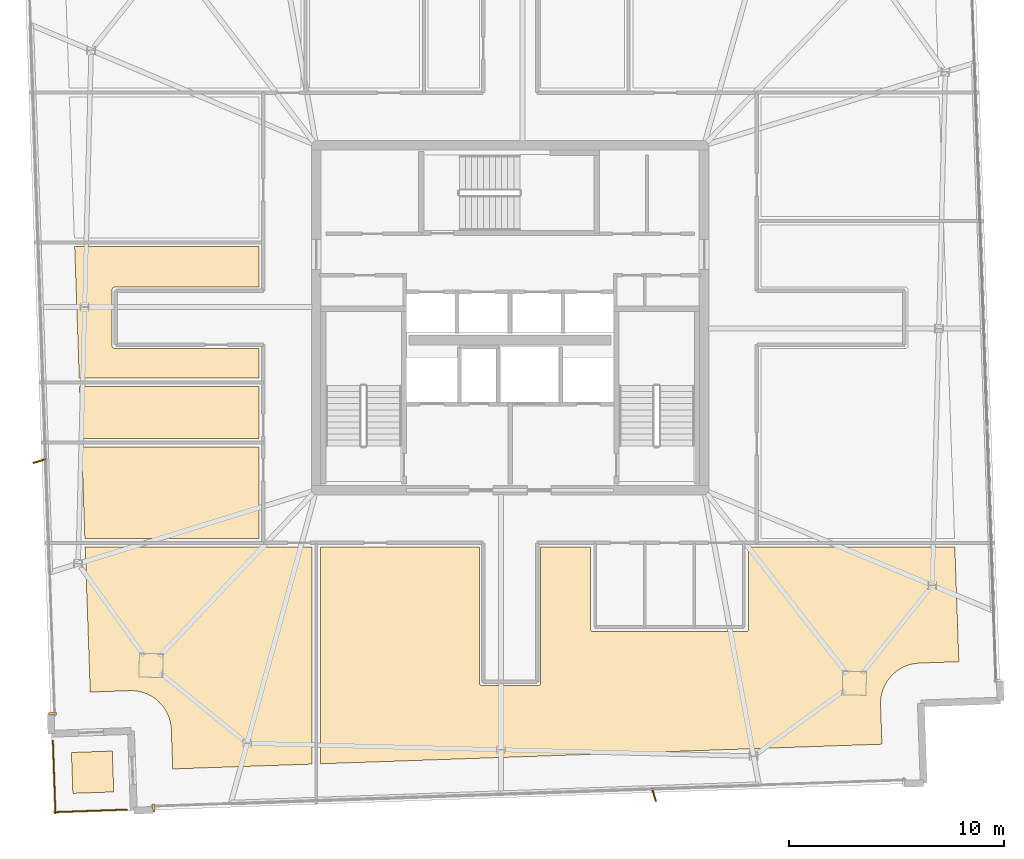
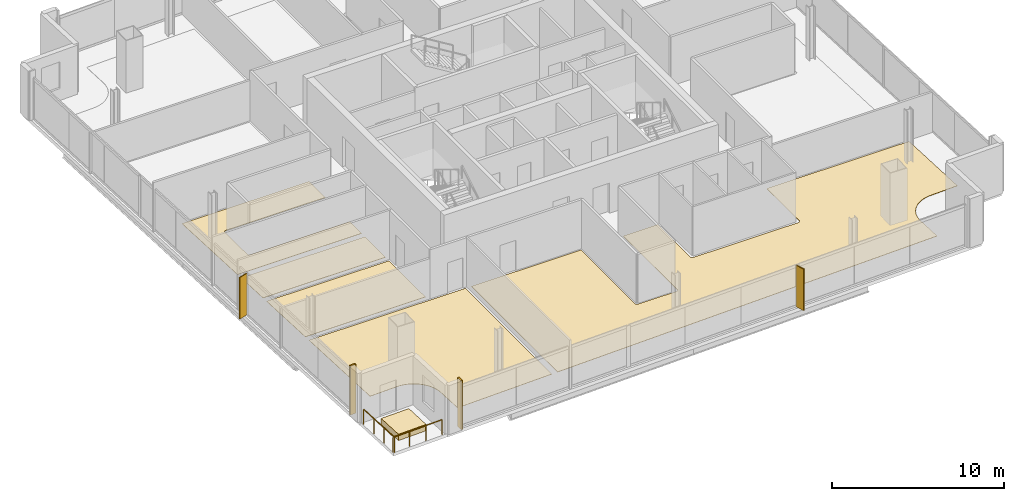
# One storey, part 21 of 23: 8 coverings, 2 railings, 2 shading devices.
"""IFC4 building model written with IfcOpenShell, lengths in metres."""

from ifc_helpers import new_model, si_unit, direction, frame, origin, origin_2d, place, context, subcontext, project, spatial, polyline, rectangle, outline, extrude, source, transform, mapped, material, layer, layer_set, type_object, element, save


model = new_model("IFC4")

# Units and contexts
model_context = context("Model", 3, precision=1e-05, world=origin(), true_north=direction((0.0, 1.0)))
body_context = subcontext(model_context, "Body", "Model", "MODEL_VIEW")
ifc_project = project(units=[si_unit("LENGTHUNIT", "METRE"), si_unit("AREAUNIT", "SQUARE_METRE"), si_unit("VOLUMEUNIT", "CUBIC_METRE"), si_unit("PLANEANGLEUNIT", "RADIAN"), si_unit("MASSUNIT", "GRAM", prefix="KILO")], contexts=[model_context])

# Site, building, storey
site_placement = place(None, origin())
site = spatial("IfcSite", under=ifc_project, at=site_placement, CompositionType="ELEMENT")
building_placement = place(site_placement, origin())
building = spatial("IfcBuilding", under=site, at=building_placement, Name="Haldenkirk Collegiate Tower", CompositionType="ELEMENT")
storey_placement = place(building_placement, frame((0.0, 0.0, 336.449951171875)))
storey = spatial("IfcBuildingStorey", under=building, at=storey_placement, Name="L85", CompositionType="ELEMENT", Elevation=336.449951171875)

# Coverings
ifc_material_1 = material(Name="Polished collegiate terrazzo", Category="concrete")
ifc_layer_1 = layer(ifc_material_1, 0.02490234375)
ifc_layer_set_1 = layer_set([ifc_layer_1], Name="Polished collegiate terrazzo")
covering_type_1 = type_object("IfcCoveringType", Name="COV-FLOOR-TERRAZZO", PredefinedType="FLOORING", material=ifc_layer_set_1)
covering_1_placement = place(storey_placement, origin())
element("IfcCovering", 1, at=covering_1_placement, inside=storey, type_object=covering_type_1, Name="L85 academic room finish 02", PredefinedType="FLOORING", context=body_context, shape_type="SweptSolid", body=[
    extrude(outline(polyline([(54.291015625, 9.80810546875), (54.280517578125, 9.80322265625), (54.127685546875, 9.724609375), (54.11767578125, 9.718505859375), (53.973388671875, 9.625244140625), (53.9638671875, 9.618408203125), (53.82958984375, 9.51123046875), (53.82080078125, 9.503662109375), (53.69775390625, 9.3837890625), (53.689697265625, 9.375244140625), (53.578857421875, 9.243896484375), (53.57177734375, 9.234619140625), (53.474365234375, 9.09326171875), (53.468017578125, 9.083251953125), (53.385009765625, 8.93310546875), (53.3798828125, 8.92236328125), (53.311767578125, 8.7646484375), (53.3076171875, 8.753662109375), (53.255615234375, 8.590087890625), (53.25244140625, 8.57861328125), (53.216552734375, 8.41064453125), (53.21484375, 8.399169921875), (53.195556640625, 8.228515625), (53.194580078125, 8.216796875), (53.1923828125, 8.044921875), (53.1923828125, 8.0390625), (53.256103515625, 6.210205078125), (27.199951171875, 5.30029296875), (27.199951171875, 15.35009765625), (34.580078125, 15.35009765625), (34.580078125, 9.050048828125), (34.58056640625, 9.0380859375), (34.582275390625, 9.026611328125), (34.585205078125, 9.01513671875), (34.589111328125, 9.004150390625), (34.59423828125, 8.993408203125), (34.60009765625, 8.9833984375), (34.607177734375, 8.973876953125), (34.614990234375, 8.965087890625), (34.623779296875, 8.957275390625), (34.63330078125, 8.9501953125), (34.643310546875, 8.944091796875), (34.654052734375, 8.939208984375), (34.665283203125, 8.935302734375), (34.676513671875, 8.932373046875), (34.688232421875, 8.9306640625), (34.699951171875, 8.929931640625), (37.300048828125, 8.929931640625), (37.311767578125, 8.9306640625), (37.323486328125, 8.932373046875), (37.334716796875, 8.935302734375), (37.345947265625, 8.939208984375), (37.356689453125, 8.944091796875), (37.36669921875, 8.9501953125), (37.376220703125, 8.957275390625), (37.385009765625, 8.965087890625), (37.392822265625, 8.973876953125), (37.39990234375, 8.9833984375), (37.40576171875, 8.993408203125), (37.410888671875, 9.004150390625), (37.414794921875, 9.01513671875), (37.417724609375, 9.026611328125), (37.41943359375, 9.0380859375), (37.419921875, 9.050048828125), (37.419921875, 15.35009765625), (39.72998046875, 15.35009765625), (39.72998046875, 11.550048828125), (39.730712890625, 11.5380859375), (39.732421875, 11.526611328125), (39.735107421875, 11.51513671875), (39.739013671875, 11.504150390625), (39.744140625, 11.493408203125), (39.750244140625, 11.4833984375), (39.757080078125, 11.473876953125), (39.76513671875, 11.465087890625), (39.77392578125, 11.457275390625), (39.783203125, 11.4501953125), (39.79345703125, 11.444091796875), (39.80419921875, 11.439208984375), (39.815185546875, 11.435302734375), (39.82666015625, 11.432373046875), (39.838134765625, 11.4306640625), (39.85009765625, 11.429931640625), (46.949951171875, 11.429931640625), (46.9619140625, 11.4306640625), (46.973388671875, 11.432373046875), (46.98486328125, 11.435302734375), (46.995849609375, 11.439208984375), (47.006591796875, 11.444091796875), (47.0166015625, 11.4501953125), (47.026123046875, 11.457275390625), (47.034912109375, 11.465087890625), (47.042724609375, 11.473876953125), (47.0498046875, 11.4833984375), (47.055908203125, 11.493408203125), (47.060791015625, 11.504150390625), (47.064697265625, 11.51513671875), (47.067626953125, 11.526611328125), (47.0693359375, 11.5380859375), (47.070068359375, 11.550048828125), (47.070068359375, 15.35009765625), (56.63916015625, 15.35009765625), (56.82470703125, 10.037109375), (54.995849609375, 9.97314453125), (54.989990234375, 9.972900390625), (54.81884765625, 9.95849609375), (54.807373046875, 9.956787109375), (54.638427734375, 9.92578125), (54.626953125, 9.923095703125), (54.4619140625, 9.87548828125), (54.45068359375, 9.87158203125), (54.291015625, 9.80810546875)])), origin(), (0.0, 0.0, 1.0), 0.025146484375),
])
covering_2_placement = place(storey_placement, origin())
element("IfcCovering", 2, at=covering_2_placement, inside=storey, type_object=covering_type_1, Name="L85 academic room finish 08", PredefinedType="FLOORING", context=body_context, shape_type="SweptSolid", body=[
    extrude(outline(polyline([(16.01953125, 22.800048828125), (24.35009765625, 22.800048828125), (24.35009765625, 20.39990234375), (16.103515625, 20.39990234375), (16.01953125, 22.800048828125)])), origin(), (0.0, 0.0, 1.0), 0.025146484375),
])
ifc_material_2 = material(Name="Engineered collegiate oak acoustic flooring", Category="wood")
ifc_layer_2 = layer(ifc_material_2, 0.02197265625)
ifc_layer_set_2 = layer_set([ifc_layer_2], Name="Engineered collegiate oak acoustic flooring")
covering_type_2 = type_object("IfcCoveringType", Name="COV-FLOOR-TIMBER", PredefinedType="FLOORING", material=ifc_layer_set_2)
covering_3_placement = place(storey_placement, origin())
element("IfcCovering", 3, at=covering_3_placement, inside=storey, type_object=covering_type_2, Name="L85 academic room finish 01", PredefinedType="FLOORING", context=body_context, shape_type="SweptSolid", body=[
    extrude(outline(polyline([(20.34130859375, 5.060791015625), (20.27734375, 6.8896484375), (20.277099609375, 6.8955078125), (20.2626953125, 7.066650390625), (20.260986328125, 7.078369140625), (20.22998046875, 7.247314453125), (20.227294921875, 7.2587890625), (20.1796875, 7.423583984375), (20.17578125, 7.434814453125), (20.1123046875, 7.594482421875), (20.107421875, 7.605224609375), (20.02880859375, 7.7578125), (20.022705078125, 7.767822265625), (19.929443359375, 7.912109375), (19.922607421875, 7.921630859375), (19.8154296875, 8.055908203125), (19.807861328125, 8.064697265625), (19.68798828125, 8.18798828125), (19.679443359375, 8.196044921875), (19.548095703125, 8.306884765625), (19.538818359375, 8.31396484375), (19.3974609375, 8.411376953125), (19.387451171875, 8.41748046875), (19.2373046875, 8.50048828125), (19.2265625, 8.505859375), (19.06884765625, 8.57373046875), (19.057861328125, 8.577880859375), (18.894287109375, 8.630126953125), (18.8828125, 8.63330078125), (18.71484375, 8.6689453125), (18.703369140625, 8.6708984375), (18.53271484375, 8.690185546875), (18.52099609375, 8.69091796875), (18.34912109375, 8.693359375), (18.34326171875, 8.693115234375), (16.514404296875, 8.62939453125), (16.27978515625, 15.35009765625), (26.800048828125, 15.35009765625), (26.800048828125, 5.286376953125), (20.34130859375, 5.060791015625)])), origin(), (0.0, 0.0, 1.0), 0.02197265625),
])
covering_4_placement = place(storey_placement, origin())
element("IfcCovering", 4, at=covering_4_placement, inside=storey, type_object=covering_type_2, Name="L85 academic room finish 07", PredefinedType="FLOORING", context=body_context, shape_type="SweptSolid", body=[
    extrude(outline(polyline([(16.117431640625, 20.0), (24.35009765625, 20.0), (24.35009765625, 15.75), (16.265869140625, 15.75), (16.117431640625, 20.0)])), origin(), (0.0, 0.0, 1.0), 0.02197265625),
])
covering_5_placement = place(storey_placement, origin())
element("IfcCovering", 5, at=covering_5_placement, inside=storey, type_object=covering_type_2, Name="L85 academic room finish 09", PredefinedType="FLOORING", context=body_context, shape_type="SweptSolid", body=[
    extrude(outline(polyline([(17.64990234375, 27.419921875), (17.63818359375, 27.41943359375), (17.626708984375, 27.417724609375), (17.615234375, 27.414794921875), (17.60400390625, 27.410888671875), (17.593505859375, 27.40576171875), (17.583251953125, 27.39990234375), (17.573974609375, 27.392822265625), (17.565185546875, 27.385009765625), (17.55712890625, 27.376220703125), (17.55029296875, 27.36669921875), (17.544189453125, 27.356689453125), (17.5390625, 27.345947265625), (17.53515625, 27.334716796875), (17.5322265625, 27.323486328125), (17.530517578125, 27.311767578125), (17.530029296875, 27.300048828125), (17.530029296875, 24.699951171875), (17.530517578125, 24.688232421875), (17.5322265625, 24.676513671875), (17.53515625, 24.665283203125), (17.5390625, 24.654052734375), (17.544189453125, 24.643310546875), (17.55029296875, 24.63330078125), (17.55712890625, 24.623779296875), (17.565185546875, 24.614990234375), (17.573974609375, 24.607177734375), (17.583251953125, 24.60009765625), (17.593505859375, 24.59423828125), (17.60400390625, 24.589111328125), (17.615234375, 24.585205078125), (17.626708984375, 24.582275390625), (17.63818359375, 24.58056640625), (17.64990234375, 24.580078125), (24.35009765625, 24.580078125), (24.35009765625, 23.199951171875), (16.005615234375, 23.199951171875), (15.79248046875, 29.300048828125), (24.35009765625, 29.300048828125), (24.35009765625, 27.419921875), (17.64990234375, 27.419921875)])), origin(), (0.0, 0.0, 1.0), 0.02197265625),
])
ifc_material_3 = material(Name="Precast concrete f'c 40 MPa", Category="concrete")
ifc_layer_3 = layer(ifc_material_3, 0.449951171875)
ifc_layer_set_3 = layer_set([ifc_layer_3], Name="Precast concrete f'c 40 MPa")
covering_type_3 = type_object("IfcCoveringType", Name="COV-PLANTER-450", PredefinedType="USERDEFINED", material=ifc_layer_set_3)
covering_6_placement = place(storey_placement, origin())
element("IfcCovering", 6, at=covering_6_placement, inside=storey, type_object=covering_type_3, Name="L85 planted garden planter bed", ObjectType="PLANTER", PredefinedType="USERDEFINED", context=body_context, shape_type="SweptSolid", body=[
    extrude(outline(polyline([(17.606689453125, 3.99462890625), (15.7080078125, 3.928466796875), (15.6416015625, 5.827392578125), (17.54052734375, 5.8935546875), (17.606689453125, 3.99462890625)])), origin(), (0.0, 0.0, 1.0), 0.449951171875),
])

# Railings
ifc_material_4 = material(Name="Anodised architectural bronze aluminium", Category="aluminium")
railing_type = type_object("IfcRailingType", Name="RLG-TERR-BALUSTRADE-1100", PredefinedType="BALUSTRADE", material=ifc_material_4)
railing_1_placement = place(storey_placement, frame((14.781982421875, 6.377685546875, 0.0)))
element("IfcRailing", 7, at=railing_1_placement, inside=storey, type_object=railing_type, Name="L85 terrace guard balustrade 3-1", PredefinedType="BALUSTRADE", context=body_context, shape_type="SweptSolid", body=[
    extrude(rectangle(XDim=0.048095703125, YDim=0.048095703125, at=origin_2d()), frame((0.0, 0.0, 1.076171875), z_axis=(0.034885163775, -0.999391327433, 0.0), x_axis=(0.999391327433, 0.034885163775, 0.0)), (0.0, 0.0, 1.0), 3.380126953125),
    extrude(rectangle(XDim=0.0419921875, YDim=0.0419921875, at=origin_2d()), origin(), (0.0, 0.0, 1.0), 1.052001953125),
    extrude(rectangle(XDim=0.0419921875, YDim=0.0419921875, at=origin_2d()), frame((0.039306640625, -1.1259765625, 0.0)), (0.0, 0.0, 1.0), 1.052001953125),
    extrude(rectangle(XDim=0.0419921875, YDim=0.0419921875, at=origin_2d()), frame((0.07861328125, -2.252197265625, 0.0)), (0.0, 0.0, 1.0), 1.052001953125),
    extrude(rectangle(XDim=0.0419921875, YDim=0.0419921875, at=origin_2d()), frame((0.117919921875, -3.378173828125, 0.0)), (0.0, 0.0, 1.0), 1.052001953125),
])
railing_2_placement = place(storey_placement, frame((14.837890625, 3.0576171875, 0.0)))
element("IfcRailing", 8, at=railing_2_placement, inside=storey, type_object=railing_type, Name="L85 terrace guard balustrade 4-1", PredefinedType="BALUSTRADE", context=body_context, shape_type="SweptSolid", body=[
    extrude(rectangle(XDim=0.048095703125, YDim=0.048095703125, at=origin_2d()), frame((0.0, 0.0, 1.076171875), z_axis=(0.999393755375, 0.034815538457, 0.0), x_axis=(-0.034815538457, 0.999393755375, 0.0)), (0.0, 0.0, 1.0), 3.3798828125),
    extrude(rectangle(XDim=0.0419921875, YDim=0.0419921875, at=origin_2d()), origin(), (0.0, 0.0, 1.0), 1.052001953125),
    extrude(rectangle(XDim=0.0419921875, YDim=0.0419921875, at=origin_2d()), frame((1.1259765625, 0.039306640625, 0.0)), (0.0, 0.0, 1.0), 1.052001953125),
    extrude(rectangle(XDim=0.0419921875, YDim=0.0419921875, at=origin_2d()), frame((2.251953125, 0.078369140625, 0.0)), (0.0, 0.0, 1.0), 1.052001953125),
    extrude(rectangle(XDim=0.0419921875, YDim=0.0419921875, at=origin_2d()), frame((3.3779296875, 0.11767578125, 0.0)), (0.0, 0.0, 1.0), 1.052001953125),
])

# Coverings
ifc_layer_4 = layer(ifc_material_4, 0.06005859375)
ifc_layer_set_4 = layer_set([ifc_layer_4], Name="Anodised architectural bronze aluminium")
covering_type_4 = type_object("IfcCoveringType", Name="COV-CLAD-BRONZE-60", PredefinedType="CLADDING", material=ifc_layer_set_4)
shared_shape_1 = source(origin(), body_context, "Body", "SweptSolid", [
    extrude(rectangle(XDim=0.10009765625, YDim=0.3798828125, at=origin_2d()), origin(), (0.0, 0.0, 1.0), 3.489990234375),
])
for number, where, z_axis, x_axis, name in (
    (9, (14.768310546875, 7.6279296875, 0.0), (0.0, 0.0, 1.0), (-0.034899496703, 0.999390827019, 0.0), "L85 recessed curtain-wall bronze jamb closure NJL"),
    (10, (19.4638671875, 3.2490234375, 0.0), (0.0, 0.0, 1.0), (-0.999390827019, -0.034899496703, 0.0), "L85 recessed curtain-wall bronze jamb closure WJR"),
):
    element("IfcCovering", number, at=place(storey_placement, frame(where, z_axis=z_axis, x_axis=x_axis)), inside=storey, type_object=covering_type_4, Name=name, PredefinedType="CLADDING", context=body_context, shape_type="MappedRepresentation", body=[
        mapped(shared_shape_1, transform((0.0, 0.0, 0.0), x_axis=(1.0, 0.0, 0.0), y_axis=(0.0, 1.0, 0.0), z_axis=(0.0, 0.0, 1.0), scale=1.0)),
    ])

# Shading devices
ifc_layer_5 = layer(ifc_material_4, 0.06494140625)
ifc_layer_set_5 = layer_set([ifc_layer_5], Name="Anodised architectural bronze aluminium")
shading_device_type = type_object("IfcShadingDeviceType", Name="SHD-FIN-BRONZE-620", PredefinedType="USERDEFINED", material=ifc_layer_set_5)
shared_shape_2 = source(origin(), body_context, "Body", "SweptSolid", [
    extrude(rectangle(XDim=0.6201171875, YDim=0.06494140625, at=origin_2d()), origin(), (0.0, 0.0, 1.0), 2.947998046875),
])
for number, where, z_axis, x_axis, name in (
    (11, (14.15380859375, 19.350341796875, 0.0), (0.0, 0.0, 1.0), (-0.951056516295, -0.309016994375, 0.0), "L85 folded bronze solar fin 1"),
    (12, (42.677001953125, 3.8544921875, 0.0), (0.0, 0.0, 1.0), (0.309016994375, -0.951056516295, 0.0), "L85 folded bronze solar fin 1"),
):
    element("IfcShadingDevice", number, at=place(storey_placement, frame(where, z_axis=z_axis, x_axis=x_axis)), inside=storey, type_object=shading_device_type, Name=name, ObjectType="FIN", PredefinedType="USERDEFINED", context=body_context, shape_type="MappedRepresentation", body=[
        mapped(shared_shape_2, transform((0.0, 0.0, 0.0), x_axis=(1.0, 0.0, 0.0), y_axis=(0.0, 1.0, 0.0), z_axis=(0.0, 0.0, 1.0), scale=1.0)),
    ])

save(model, "model.ifc")
